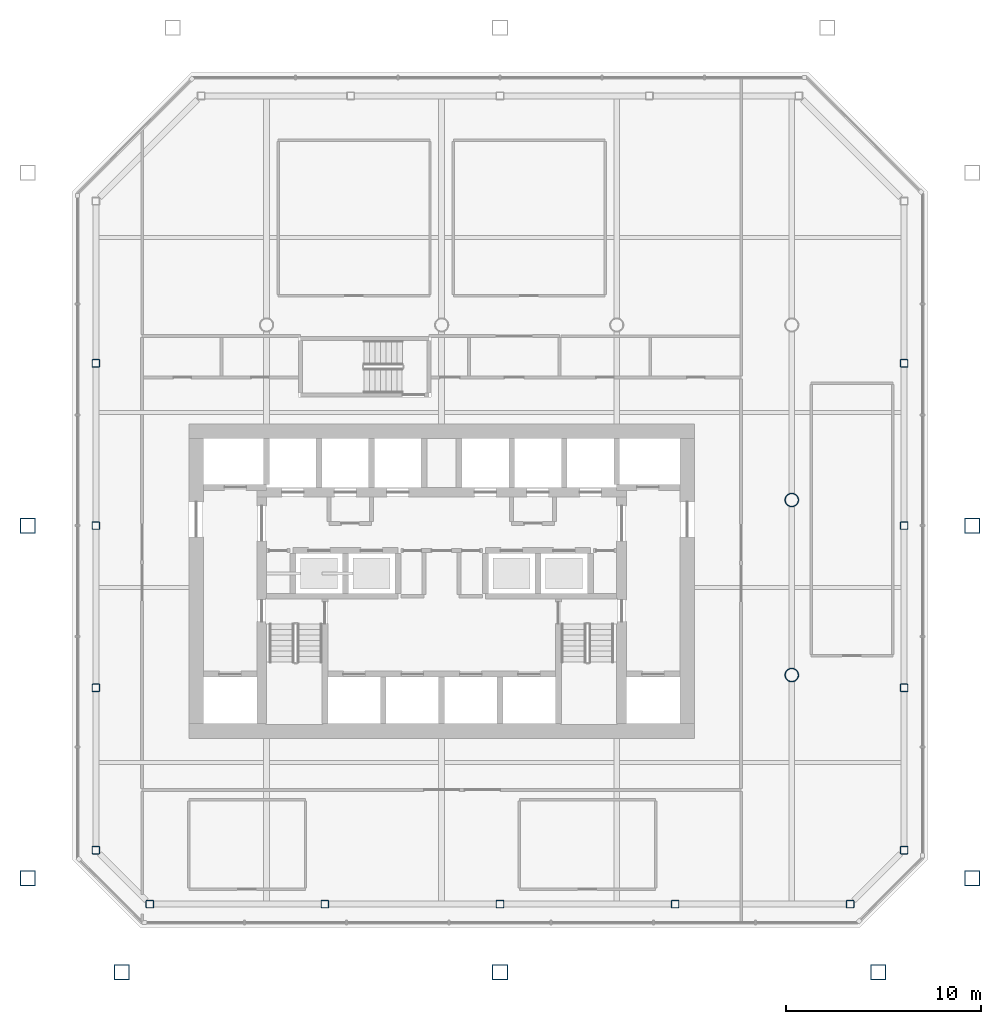
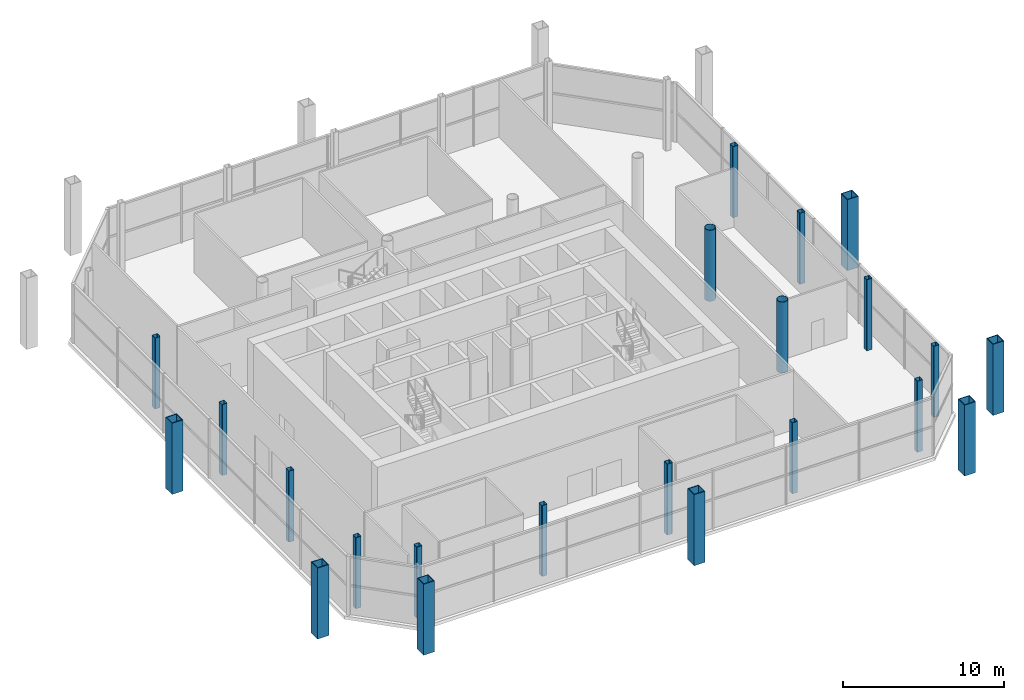
# One storey, part 1 of 12: 22 columns.
"""IFC4 building model written with IfcOpenShell, lengths in metres."""

from ifc_helpers import new_model, si_unit, direction, frame, origin, origin_2d, place, context, subcontext, project, spatial, hollow_rectangle, hollow_circle, extrude, material, material_profile, profile_set, type_object, element, save


model = new_model("IFC4")

# Units and contexts
model_context = context("Model", 3, precision=1e-05, world=origin(), true_north=direction((0.0, 1.0)))
body_context = subcontext(model_context, "Body", "Model", "MODEL_VIEW")
ifc_project = project(units=[si_unit("LENGTHUNIT", "METRE"), si_unit("AREAUNIT", "SQUARE_METRE"), si_unit("VOLUMEUNIT", "CUBIC_METRE"), si_unit("PLANEANGLEUNIT", "RADIAN"), si_unit("MASSUNIT", "GRAM", prefix="KILO")], contexts=[model_context])

# Site, building, storey
site_placement = place(None, origin())
site = spatial("IfcSite", under=ifc_project, at=site_placement, CompositionType="ELEMENT")
building_placement = place(site_placement, origin())
building = spatial("IfcBuilding", under=site, at=building_placement, Name="Tskaro Facet Tower", CompositionType="ELEMENT")
storey_placement = place(building_placement, frame((0.0, 0.0, 162.300048828125)))
storey = spatial("IfcBuildingStorey", under=building, at=storey_placement, Name="L40", CompositionType="ELEMENT", Elevation=162.300048828125)

# Columns
ifc_material_1 = material(Name="Steel S460M", Category="steel")
ifc_material_profile_1 = material_profile(ifc_material_1, hollow_rectangle(XDim=0.800048828125, YDim=0.800048828125, WallThickness=0.050048828125, at=origin_2d()), Name="BOX 800x800x50")
ifc_profile_set_1 = profile_set([ifc_material_profile_1], Name="Steel S460M")
column_type_1 = type_object("IfcColumnType", Name="BOX 800x800x50 mega column", PredefinedType="COLUMN", material=ifc_profile_set_1)
for number, where, z_axis, x_axis, name in (
    (1, (-16.449951171875, -24.27587890625, 0.0), (0.0, 0.0, 1.0), (1.0, 0.0, 0.0), "BOX 800x800x50 MC01/3T"),
    (2, (3.0, -24.27587890625, 0.0), (0.0, 0.0, 1.0), (1.0, 0.0, 0.0), "BOX 800x800x50 MC02/3T"),
    (3, (22.449951171875, -24.27587890625, 0.0), (0.0, 0.0, 1.0), (1.0, 0.0, 0.0), "BOX 800x800x50 MC03/3T"),
    (4, (27.27587890625, -19.449951171875, 0.0), (0.0, 0.0, 1.0), (1.0, 0.0, 0.0), "BOX 800x800x50 MC04/3T"),
    (5, (27.27587890625, -1.31591796875, 0.0), (0.0, 0.0, 1.0), (1.0, 0.0, 0.0), "BOX 800x800x50 MC05/3T"),
    (6, (-21.27587890625, -1.31591796875, 0.0), (0.0, 0.0, 1.0), (1.0, 0.0, 0.0), "BOX 800x800x50 MC11/3T"),
    (7, (-21.27587890625, -19.449951171875, 0.0), (0.0, 0.0, 1.0), (1.0, 0.0, 0.0), "BOX 800x800x50 MC12/3T"),
):
    element("IfcColumn", number, at=place(storey_placement, frame(where, z_axis=z_axis, x_axis=x_axis)), inside=storey, type_object=column_type_1, Name=name, PredefinedType="COLUMN", context=body_context, shape_type="SweptSolid", body=[
        extrude(hollow_rectangle(XDim=0.800048828125, YDim=0.800048828125, WallThickness=0.050048828125, at=origin_2d()), origin(), (0.0, 0.0, 1.0), 5.39990234375),
    ])
ifc_material_2 = material(Name="Steel S355J2H", Category="steel")
ifc_material_profile_2 = material_profile(ifc_material_2, hollow_circle(Radius=0.35546875, WallThickness=0.031982421875, at=origin_2d()), Name="CHS 711x32")
ifc_profile_set_2 = profile_set([ifc_material_profile_2], Name="Steel S355J2H")
column_type_2 = type_object("IfcColumnType", Name="CHS 711x32 interior column", PredefinedType="COLUMN", material=ifc_profile_set_2)
for number, where, z_axis, x_axis, name in (
    (8, (18.0, -9.0, 0.0), (0.0, 0.0, 1.0), (1.0, 0.0, 0.0), "CHS 711x32 C6C/3"),
    (9, (18.0, 0.0, 0.0), (0.0, 0.0, 1.0), (1.0, 0.0, 0.0), "CHS 711x32 C6D/3"),
):
    element("IfcColumn", number, at=place(storey_placement, frame(where, z_axis=z_axis, x_axis=x_axis)), inside=storey, type_object=column_type_2, Name=name, PredefinedType="COLUMN", context=body_context, shape_type="SweptSolid", body=[
        extrude(hollow_circle(Radius=0.35546875, WallThickness=0.031982421875, at=origin_2d()), origin(), (0.0, 0.0, 1.0), 5.39990234375),
    ])
ifc_material_profile_3 = material_profile(ifc_material_2, hollow_rectangle(XDim=0.39990234375, YDim=0.39990234375, WallThickness=0.02001953125, InnerFilletRadius=0.030029296875, OuterFilletRadius=0.050048828125, at=origin_2d()), Name="SHS 400x400x20")
ifc_profile_set_3 = profile_set([ifc_material_profile_3], Name="Steel S355J2H")
column_type_3 = type_object("IfcColumnType", Name="SHS 400x400x20 ring column", PredefinedType="COLUMN", material=ifc_profile_set_3)
for number, where, z_axis, x_axis, name in (
    (10, (-14.9990234375, -20.77392578125, 0.0), (0.0, 0.0, 1.0), (1.0, 0.0, 0.0), "SHS 400x400x20 RS-1/3"),
    (11, (-6.0, -20.77392578125, 0.0), (0.0, 0.0, 1.0), (1.0, 0.0, 0.0), "SHS 400x400x20 RS-2/3"),
    (12, (3.0, -20.77392578125, 0.0), (0.0, 0.0, 1.0), (1.0, 0.0, 0.0), "SHS 400x400x20 RS-3/3"),
    (13, (12.0, -20.77392578125, 0.0), (0.0, 0.0, 1.0), (1.0, 0.0, 0.0), "SHS 400x400x20 RS-4/3"),
    (14, (20.9990234375, -20.77392578125, 0.0), (0.0, 0.0, 1.0), (1.0, 0.0, 0.0), "SHS 400x400x20 RSE-1/3"),
    (15, (23.77392578125, -17.9990234375, 0.0), (0.0, 0.0, 1.0), (1.0, 0.0, 0.0), "SHS 400x400x20 RE-1/3"),
    (16, (23.77392578125, -9.656982421875, 0.0), (0.0, 0.0, 1.0), (1.0, 0.0, 0.0), "SHS 400x400x20 RE-2/3"),
    (17, (23.77392578125, -1.31591796875, 0.0), (0.0, 0.0, 1.0), (1.0, 0.0, 0.0), "SHS 400x400x20 RE-3/3"),
    (18, (23.77392578125, 7.02587890625, 0.0), (0.0, 0.0, 1.0), (1.0, 0.0, 0.0), "SHS 400x400x20 RE-4/3"),
    (19, (-17.77392578125, 7.02587890625, 0.0), (0.0, 0.0, 1.0), (1.0, 0.0, 0.0), "SHS 400x400x20 RW-2/3"),
    (20, (-17.77392578125, -1.31494140625, 0.0), (0.0, 0.0, 1.0), (1.0, 0.0, 0.0), "SHS 400x400x20 RW-3/3"),
    (21, (-17.77392578125, -9.656982421875, 0.0), (0.0, 0.0, 1.0), (1.0, 0.0, 0.0), "SHS 400x400x20 RW-4/3"),
    (22, (-17.77392578125, -17.9990234375, 0.0), (0.0, 0.0, 1.0), (1.0, 0.0, 0.0), "SHS 400x400x20 RSW-1/3"),
):
    element("IfcColumn", number, at=place(storey_placement, frame(where, z_axis=z_axis, x_axis=x_axis)), inside=storey, type_object=column_type_3, Name=name, PredefinedType="COLUMN", context=body_context, shape_type="SweptSolid", body=[
        extrude(hollow_rectangle(XDim=0.39990234375, YDim=0.39990234375, WallThickness=0.02001953125, InnerFilletRadius=0.030029296875, OuterFilletRadius=0.050048828125, at=origin_2d()), origin(), (0.0, 0.0, 1.0), 5.39990234375),
    ])

save(model, "model.ifc")
